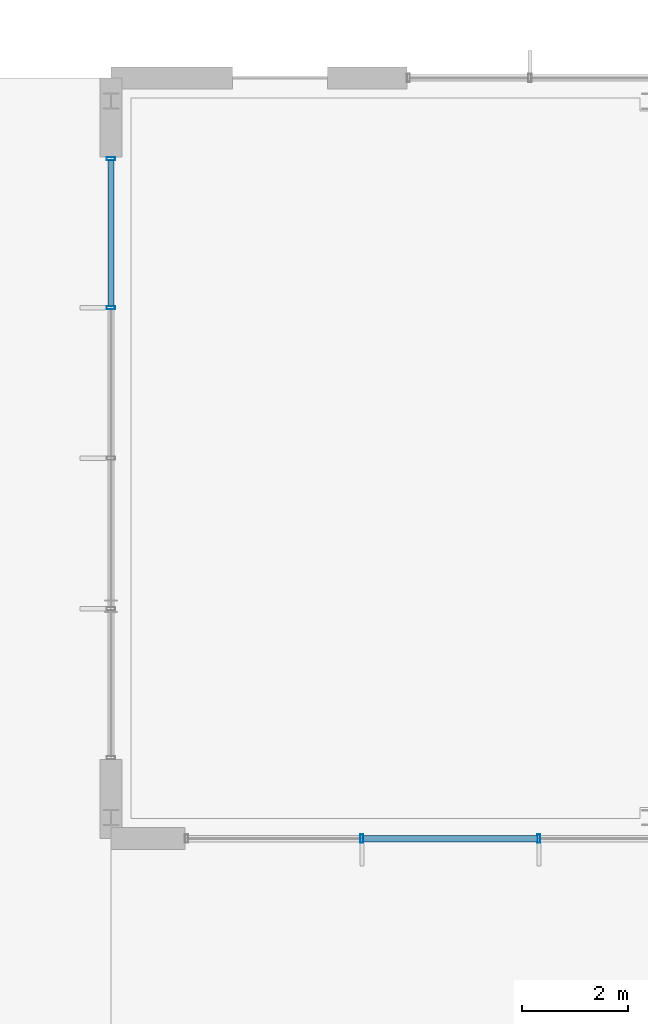
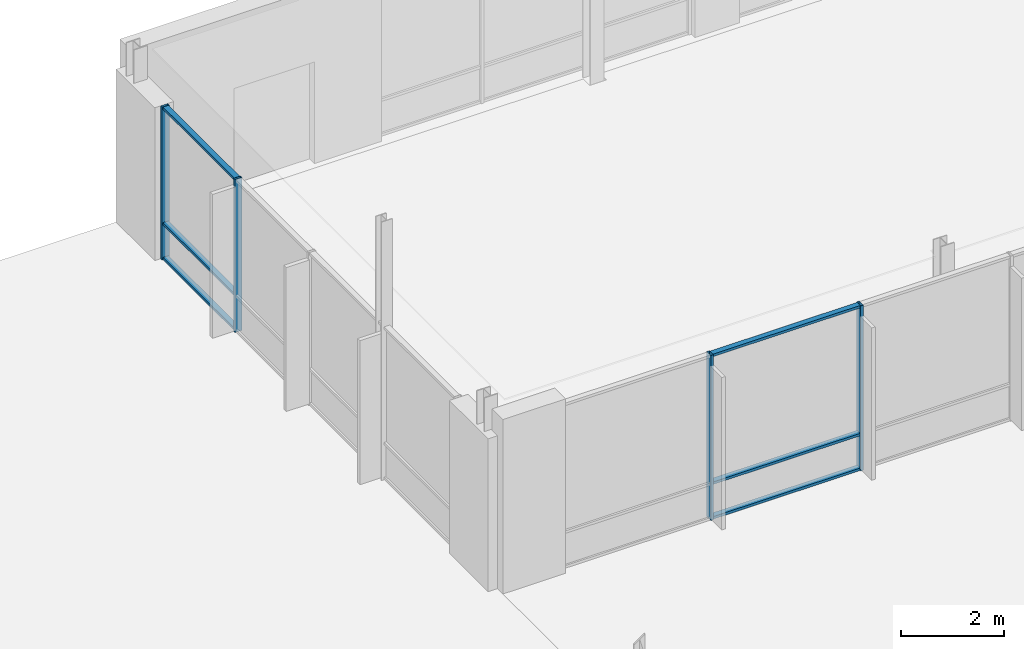
# One storey, part 127 of 233: 10 members, 2 elements without a shape of their own.
"""IFC4 building model written with IfcOpenShell, lengths in metres."""

from ifc_helpers import new_model, si_unit, direction, frame, origin, origin_2d, place, context, subcontext, project, spatial, hollow_rectangle, extrude, material, material_profile, profile_set, type_object, element, aggregate, save


model = new_model("IFC4")

# Units and contexts
model_context = context("Model", 3, precision=1e-05, world=origin(), true_north=direction((0.0, 1.0)))
body_context = subcontext(model_context, "Body", "Model", "MODEL_VIEW")
ifc_project = project(units=[si_unit("LENGTHUNIT", "METRE"), si_unit("AREAUNIT", "SQUARE_METRE"), si_unit("VOLUMEUNIT", "CUBIC_METRE"), si_unit("PLANEANGLEUNIT", "RADIAN"), si_unit("MASSUNIT", "GRAM", prefix="KILO")], contexts=[model_context])

# Site, building, storey
site_placement = place(None, origin())
site = spatial("IfcSite", under=ifc_project, at=site_placement, CompositionType="ELEMENT")
building_placement = place(site_placement, origin())
building = spatial("IfcBuilding", under=site, at=building_placement, Name="Zavelmont Quarter", CompositionType="ELEMENT")
storey_placement = place(building_placement, origin())
storey = spatial("IfcBuildingStorey", under=building, at=storey_placement, Name="L00", CompositionType="ELEMENT", Elevation=0.0)

# Curtain wall, members
ifc_material_1 = material(Name="Thermally broken aluminium and double low-E safety glazing", Category="aluminium")
curtain_wall_type_1 = type_object("IfcCurtainWallType", Name="CW-1340X390", PredefinedType="NOTDEFINED", material=ifc_material_1)
curtain_wall_1_placement = place(storey_placement, origin())
curtain_wall_1 = element("IfcCurtainWall", 1, at=curtain_wall_1_placement, inside=storey, type_object=curtain_wall_type_1, Name="L00 unitised curtain wall CW-1340X390", PredefinedType="NOTDEFINED")
ifc_material_2 = material(Name="Powder-coated aluminium EN AW-6063-T6", Category="aluminium")
ifc_material_profile_1 = material_profile(ifc_material_2, hollow_rectangle(XDim=0.06005859375, YDim=0.159912109375, WallThickness=0.00390625, at=origin_2d()), Name="CWM60X160")
ifc_profile_set_1 = profile_set([ifc_material_profile_1], Name="Powder-coated aluminium EN AW-6063-T6")
member_type_1 = type_object("IfcMemberType", Name="CWM01", PredefinedType="MULLION", material=ifc_profile_set_1)
member_1_placement = place(storey_placement, frame((96.75, 101.60009765625, 0.0), z_axis=(0.0, 0.0, 1.0), x_axis=(1.0, 0.0, 0.0)))
member_1 = element("IfcMember", 2, at=member_1_placement, type_object=member_type_1, Name="CW-1340X390 mullion 2", PredefinedType="MULLION", context=body_context, shape_type="SweptSolid", body=[
    extrude(hollow_rectangle(XDim=0.06005859375, YDim=0.159912109375, WallThickness=0.00390625, at=origin_2d()), origin(), (0.0, 0.0, 1.0), 3.89990234375),
])
member_2_placement = place(storey_placement, frame((100.10009765625, 101.60009765625, 0.0), z_axis=(0.0, 0.0, 1.0), x_axis=(1.0, 0.0, 0.0)))
member_2 = element("IfcMember", 3, at=member_2_placement, type_object=member_type_1, Name="CW-1340X390 mullion 3", PredefinedType="MULLION", context=body_context, shape_type="SweptSolid", body=[
    extrude(hollow_rectangle(XDim=0.06005859375, YDim=0.159912109375, WallThickness=0.00390625, at=origin_2d()), origin(), (0.0, 0.0, 1.0), 3.89990234375),
])

curtain_wall_type_2 = type_object("IfcCurtainWallType", Name="CW-1140X361", PredefinedType="NOTDEFINED", material=ifc_material_1)
curtain_wall_2_placement = place(storey_placement, origin())
curtain_wall_2 = element("IfcCurtainWall", 4, at=curtain_wall_2_placement, inside=storey, type_object=curtain_wall_type_2, Name="L00 unitised curtain wall CW-1140X361", PredefinedType="NOTDEFINED")
member_3_placement = place(storey_placement, frame((92.0, 111.64990234375, 0.0), z_axis=(0.0, 0.0, 1.0), x_axis=(0.0, 1.0, 0.0)))
member_3 = element("IfcMember", 5, at=member_3_placement, type_object=member_type_1, Name="CW-1140X361 mullion 4", PredefinedType="MULLION", context=body_context, shape_type="SweptSolid", body=[
    extrude(hollow_rectangle(XDim=0.06005859375, YDim=0.159912109375, WallThickness=0.00390625, at=origin_2d()), origin(), (0.0, 0.0, 1.0), 3.610107421875),
])
member_4_placement = place(storey_placement, frame((92.0, 114.469970703125, 0.0), z_axis=(0.0, 0.0, 1.0), x_axis=(0.0, 1.0, 0.0)))
member_4 = element("IfcMember", 6, at=member_4_placement, type_object=member_type_1, Name="CW-1140X361 mullion 5", PredefinedType="MULLION", context=body_context, shape_type="SweptSolid", body=[
    extrude(hollow_rectangle(XDim=0.06005859375, YDim=0.159912109375, WallThickness=0.00390625, at=origin_2d()), origin(), (0.0, 0.0, 1.0), 3.610107421875),
])

# Member
ifc_material_profile_2 = material_profile(ifc_material_2, hollow_rectangle(XDim=0.1201171875, YDim=0.06005859375, WallThickness=0.00390625, at=origin_2d()), Name="CWT60X120")
ifc_profile_set_2 = profile_set([ifc_material_profile_2], Name="Powder-coated aluminium EN AW-6063-T6")
member_type_2 = type_object("IfcMemberType", Name="CWT01", PredefinedType="NOTDEFINED", material=ifc_profile_set_2)
member_5_placement = place(storey_placement, frame((96.780029296875, 101.60009765625, 0.030029296875), z_axis=(1.0, 0.0, 0.0), x_axis=(0.0, 1.0, 0.0)))
member_5 = element("IfcMember", 7, at=member_5_placement, type_object=member_type_2, Name="CW-1340X390 transom 2.1", ObjectType="TRANSOM", PredefinedType="USERDEFINED", context=body_context, shape_type="SweptSolid", body=[
    extrude(hollow_rectangle(XDim=0.1201171875, YDim=0.06005859375, WallThickness=0.00390625, at=origin_2d()), origin(), (0.0, 0.0, 1.0), 3.2900390625),
])

member_6_placement = place(storey_placement, frame((96.780029296875, 101.60009765625, 0.85009765625), z_axis=(1.0, 0.0, 0.0), x_axis=(0.0, 1.0, 0.0)))
member_6 = element("IfcMember", 8, at=member_6_placement, type_object=member_type_2, Name="CW-1340X390 transom 2.2", ObjectType="TRANSOM", PredefinedType="USERDEFINED", context=body_context, shape_type="SweptSolid", body=[
    extrude(hollow_rectangle(XDim=0.1201171875, YDim=0.06005859375, WallThickness=0.00390625, at=origin_2d()), origin(), (0.0, 0.0, 1.0), 3.2900390625),
])

member_7_placement = place(storey_placement, frame((96.780029296875, 101.60009765625, 3.8701171875), z_axis=(1.0, 0.0, 0.0), x_axis=(0.0, 1.0, 0.0)))
member_7 = element("IfcMember", 9, at=member_7_placement, type_object=member_type_2, Name="CW-1340X390 transom 2.3", ObjectType="TRANSOM", PredefinedType="USERDEFINED", context=body_context, shape_type="SweptSolid", body=[
    extrude(hollow_rectangle(XDim=0.1201171875, YDim=0.06005859375, WallThickness=0.00390625, at=origin_2d()), origin(), (0.0, 0.0, 1.0), 3.2900390625),
])

aggregate(curtain_wall_1, [member_1, member_2, member_5, member_6, member_7])

member_8_placement = place(storey_placement, frame((92.0, 111.679931640625, 0.030029296875), z_axis=(0.0, 1.0, 0.0), x_axis=(-1.0, 0.0, 0.0)))
member_8 = element("IfcMember", 10, at=member_8_placement, type_object=member_type_2, Name="CW-1140X361 transom 4.1", ObjectType="TRANSOM", PredefinedType="USERDEFINED", context=body_context, shape_type="SweptSolid", body=[
    extrude(hollow_rectangle(XDim=0.1201171875, YDim=0.06005859375, WallThickness=0.00390625, at=origin_2d()), origin(), (0.0, 0.0, 1.0), 2.760009765625),
])

member_9_placement = place(storey_placement, frame((92.0, 111.679931640625, 0.85009765625), z_axis=(0.0, 1.0, 0.0), x_axis=(-1.0, 0.0, 0.0)))
member_9 = element("IfcMember", 11, at=member_9_placement, type_object=member_type_2, Name="CW-1140X361 transom 4.2", ObjectType="TRANSOM", PredefinedType="USERDEFINED", context=body_context, shape_type="SweptSolid", body=[
    extrude(hollow_rectangle(XDim=0.1201171875, YDim=0.06005859375, WallThickness=0.00390625, at=origin_2d()), origin(), (0.0, 0.0, 1.0), 2.760009765625),
])

member_10_placement = place(storey_placement, frame((92.0, 111.679931640625, 3.580078125), z_axis=(0.0, 1.0, 0.0), x_axis=(-1.0, 0.0, 0.0)))
member_10 = element("IfcMember", 12, at=member_10_placement, type_object=member_type_2, Name="CW-1140X361 transom 4.3", ObjectType="TRANSOM", PredefinedType="USERDEFINED", context=body_context, shape_type="SweptSolid", body=[
    extrude(hollow_rectangle(XDim=0.1201171875, YDim=0.06005859375, WallThickness=0.00390625, at=origin_2d()), origin(), (0.0, 0.0, 1.0), 2.760009765625),
])

aggregate(curtain_wall_2, [member_3, member_4, member_8, member_9, member_10])

save(model, "model.ifc")
